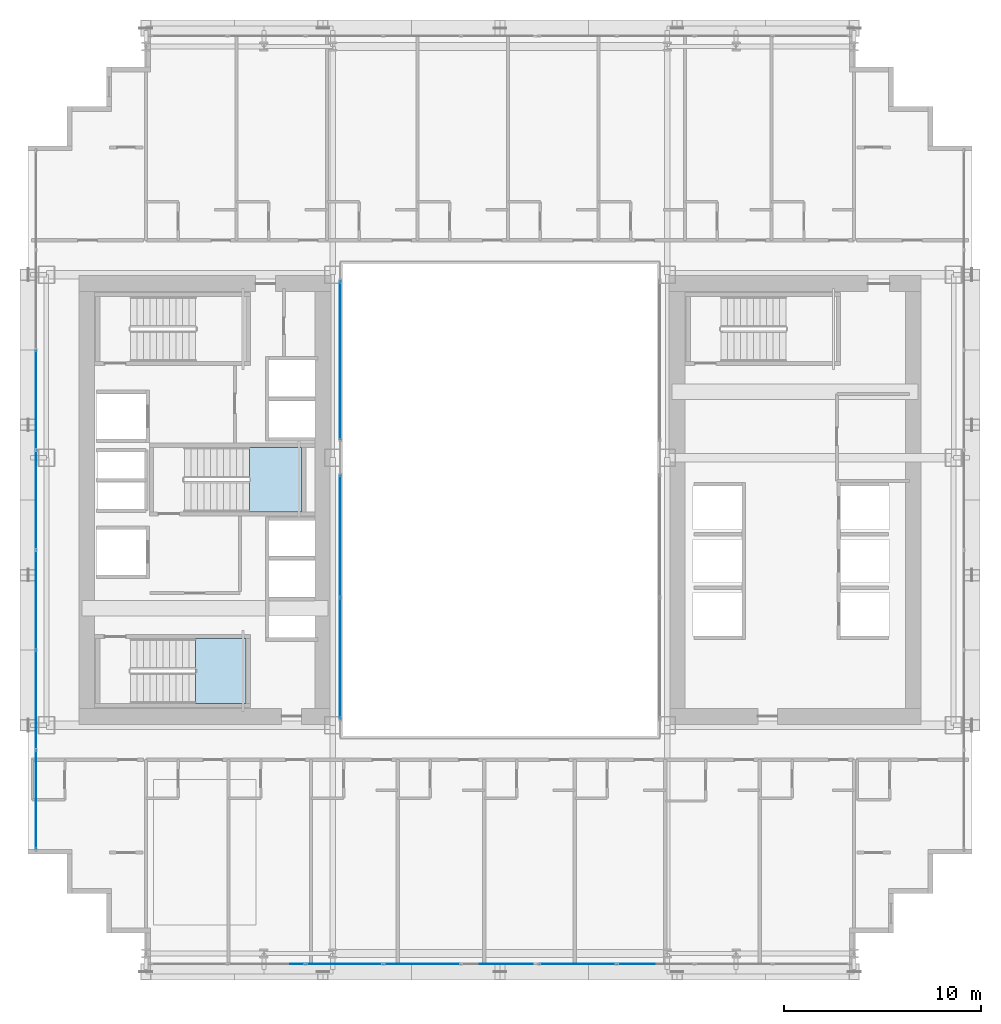
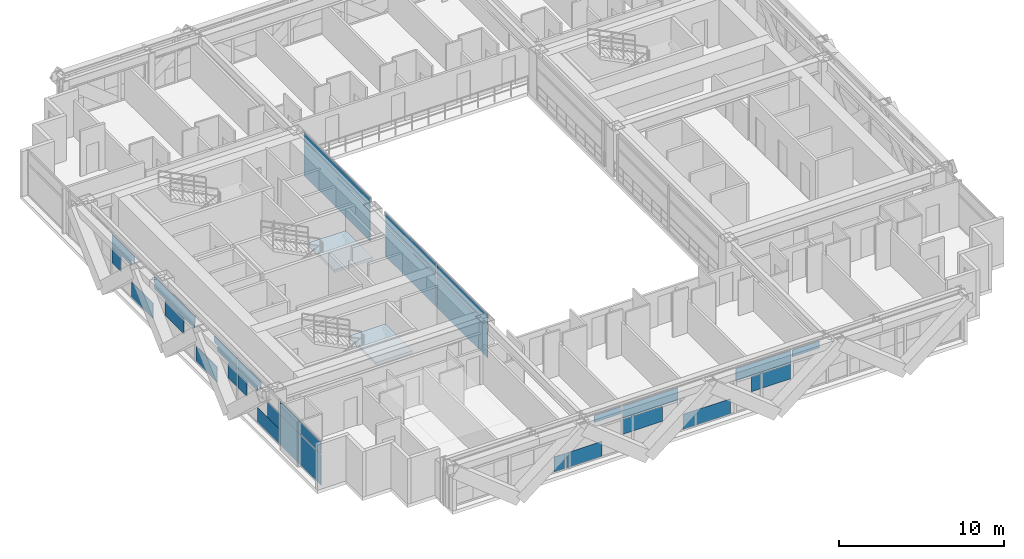
# One storey, part 27 of 41: 33 plates, 2 slabs, 6 elements without a shape of their own.
"""IFC4 building model written with IfcOpenShell, lengths in metres."""

from ifc_helpers import new_model, si_unit, direction, frame, origin, origin_2d, place, context, subcontext, project, spatial, polyline, rectangle, outline, extrude, source, transform, mapped, material, layer, layer_set, type_object, element, aggregate, save


model = new_model("IFC4")

# Units and contexts
model_context = context("Model", 3, precision=1e-05, world=origin(), true_north=direction((0.0, 1.0)))
body_context = subcontext(model_context, "Body", "Model", "MODEL_VIEW")
ifc_project = project(units=[si_unit("LENGTHUNIT", "METRE"), si_unit("AREAUNIT", "SQUARE_METRE"), si_unit("VOLUMEUNIT", "CUBIC_METRE"), si_unit("PLANEANGLEUNIT", "RADIAN"), si_unit("MASSUNIT", "GRAM", prefix="KILO")], contexts=[model_context])

# Site, building, storey
site_placement = place(None, origin())
site = spatial("IfcSite", under=ifc_project, at=site_placement, CompositionType="ELEMENT")
building_placement = place(site_placement, origin())
building = spatial("IfcBuilding", under=site, at=building_placement, Name="Ocotamira Hotel", CompositionType="ELEMENT")
storey_placement = place(building_placement, frame((0.0, 0.0, 38.39990234375)))
storey = spatial("IfcBuildingStorey", under=building, at=storey_placement, Name="L08", CompositionType="ELEMENT", Elevation=38.39990234375)

# Stair, slab
ifc_material_1 = material(Name="Concrete C40/50", Category="concrete")
stair_type = type_object("IfcStairType", Name="ST-CORE-1560", PredefinedType="HALF_TURN_STAIR", material=ifc_material_1)
stair_1_placement = place(storey_placement, origin())
stair_1 = element("IfcStair", 1, at=stair_1_placement, inside=storey, type_object=stair_type, Name="L08 Exit Stair ST-1", PredefinedType="HALF_TURN_STAIR")
ifc_layer_1 = layer(ifc_material_1, 0.199951171875)
ifc_layer_set_1 = layer_set([ifc_layer_1], Name="Concrete C40/50")
slab_type = type_object("IfcSlabType", Name="SLB-LAND-200", PredefinedType="LANDING", material=ifc_layer_set_1)
slab_1_placement = place(storey_placement, frame((0.0, 0.0, 1.60009765625)))
slab_1 = element("IfcSlab", 2, at=slab_1_placement, type_object=slab_type, Name="ST-1 landing 1", PredefinedType="LANDING", context=body_context, shape_type="SweptSolid", body=[
    extrude(outline(polyline([(16.530029296875, 15.669921875), (19.090087890625, 15.669921875), (19.090087890625, 18.949951171875), (16.530029296875, 18.949951171875), (16.530029296875, 15.669921875)])), origin(), (0.0, 0.0, 1.0), 0.199951171875),
])
aggregate(stair_1, [slab_1])

stair_2_placement = place(storey_placement, origin())
stair_2 = element("IfcStair", 3, at=stair_2_placement, inside=storey, type_object=stair_type, Name="L08 Exit Stair ST-3", PredefinedType="HALF_TURN_STAIR")
slab_2_placement = place(storey_placement, frame((0.0, 0.0, 1.60009765625)))
slab_2 = element("IfcSlab", 4, at=slab_2_placement, type_object=slab_type, Name="ST-3 landing 1", PredefinedType="LANDING", context=body_context, shape_type="SweptSolid", body=[
    extrude(outline(polyline([(19.260009765625, 25.39990234375), (21.919921875, 25.39990234375), (21.919921875, 28.679931640625), (19.260009765625, 28.679931640625), (19.260009765625, 25.39990234375)])), origin(), (0.0, 0.0, 1.0), 0.199951171875),
])
aggregate(stair_2, [slab_2])

# Curtain wall, plates
ifc_material_2 = material(Name="Anodised pale-metal aluminium and solar glass", Category="aluminium")
ifc_layer_2 = layer(ifc_material_2, 0.179931640625)
ifc_layer_set_2 = layer_set([ifc_layer_2], Name="Anodised pale-metal aluminium and solar glass")
curtain_wall_type_1 = type_object("IfcCurtainWallType", Name="CW-SYS2-Z1", PredefinedType="NOTDEFINED", material=ifc_layer_set_2)
curtain_wall_1_placement = place(storey_placement, origin())
curtain_wall_1 = element("IfcCurtainWall", 5, at=curtain_wall_1_placement, inside=storey, type_object=curtain_wall_type_1, Name="L08 Curtain Wall CW-2 CW-L08-S1", PredefinedType="NOTDEFINED")
ifc_material_3 = material(Name="Double-silver low-E insulated solar glass", Category="glass")
ifc_layer_3 = layer(ifc_material_3, 0.031982421875)
ifc_layer_set_3 = layer_set([ifc_layer_3], Name="Double-silver low-E insulated solar glass")
plate_type = type_object("IfcPlateType", Name="CWP-VISION-32", PredefinedType="CURTAIN_PANEL", material=ifc_layer_set_3)
shared_shape_1 = source(origin(), body_context, "Body", "SweptSolid", [
    extrude(rectangle(XDim=3.87548828125, YDim=0.031982421875, at=origin_2d()), origin(), (0.0, 0.0, 1.0), 0.887451171875),
])
plate_1_placement = place(storey_placement, frame((28.04443359375, 2.419921875, 2.3876953125), z_axis=(0.0, 0.0, 1.0), x_axis=(1.0, 0.0, 0.0)))
plate_1 = element("IfcPlate", 6, at=plate_1_placement, type_object=plate_type, Name="CW-2 panel 4.2", PredefinedType="CURTAIN_PANEL", context=body_context, shape_type="MappedRepresentation", body=[
    mapped(shared_shape_1, transform((0.0, 0.0, 0.0), scale=1.0)),
])
plate_2_placement = place(storey_placement, frame((35.95556640625, 2.419921875, 2.3876953125), z_axis=(0.0, 0.0, 1.0), x_axis=(1.0, 0.0, 0.0)))
plate_2 = element("IfcPlate", 7, at=plate_2_placement, type_object=plate_type, Name="CW-2 panel 6.2", PredefinedType="CURTAIN_PANEL", context=body_context, shape_type="MappedRepresentation", body=[
    mapped(shared_shape_1, transform((0.0, 0.0, 0.0), scale=1.0)),
])

curtain_wall_2_placement = place(storey_placement, origin())
curtain_wall_2 = element("IfcCurtainWall", 8, at=curtain_wall_2_placement, inside=storey, type_object=curtain_wall_type_1, Name="L08 Curtain Wall CW-2 CW-L08-W", PredefinedType="NOTDEFINED")
shared_shape_2 = source(origin(), body_context, "Body", "SweptSolid", [
    extrude(rectangle(XDim=4.9658203125, YDim=0.031982421875, at=origin_2d()), origin(), (0.0, 0.0, 1.0), 2.237548828125),
])
plate_3_placement = place(storey_placement, frame((8.419921875, 10.762939453125, 0.0751953125), z_axis=(0.0, 0.0, 1.0), x_axis=(0.0, 1.0, 0.0)))
plate_3 = element("IfcPlate", 9, at=plate_3_placement, type_object=plate_type, Name="CW-2 panel 1.1", PredefinedType="CURTAIN_PANEL", context=body_context, shape_type="MappedRepresentation", body=[
    mapped(shared_shape_2, transform((0.0, 0.0, 0.0), scale=1.0)),
])
shared_shape_3 = source(origin(), body_context, "Body", "SweptSolid", [
    extrude(rectangle(XDim=4.9658203125, YDim=0.031982421875, at=origin_2d()), origin(), (0.0, 0.0, 1.0), 0.887451171875),
])
plate_4_placement = place(storey_placement, frame((8.419921875, 10.762939453125, 2.3876953125), z_axis=(0.0, 0.0, 1.0), x_axis=(0.0, 1.0, 0.0)))
plate_4 = element("IfcPlate", 10, at=plate_4_placement, type_object=plate_type, Name="CW-2 panel 1.2", PredefinedType="CURTAIN_PANEL", context=body_context, shape_type="MappedRepresentation", body=[
    mapped(shared_shape_3, transform((0.0, 0.0, 0.0), scale=1.0)),
])
shared_shape_4 = source(origin(), body_context, "Body", "SweptSolid", [
    extrude(rectangle(XDim=2.27978515625, YDim=0.031982421875, at=origin_2d()), origin(), (0.0, 0.0, 1.0), 1.11865234375),
])
plate_5_placement = place(storey_placement, frame((8.419921875, 26.0, 1.19384765625), z_axis=(0.0, 0.0, 1.0), x_axis=(0.0, 1.0, 0.0)))
plate_5 = element("IfcPlate", 11, at=plate_5_placement, type_object=plate_type, Name="CW-2 panel 4.1.1", PredefinedType="CURTAIN_PANEL", context=body_context, shape_type="MappedRepresentation", body=[
    mapped(shared_shape_4, transform((0.0, 0.0, 0.0), scale=1.0)),
])

# Plate
shared_shape_5 = source(origin(), body_context, "Body", "SweptSolid", [
    extrude(rectangle(XDim=0.733642578125, YDim=0.031982421875, at=origin_2d()), origin(), (0.0, 0.0, 1.0), 1.11865234375),
])
plate_6_placement = place(storey_placement, frame((21.704345703125, 2.419921875, 0.0751953125), z_axis=(0.0, 0.0, 1.0), x_axis=(1.0, 0.0, 0.0)))
plate_6 = element("IfcPlate", 12, at=plate_6_placement, type_object=plate_type, Name="CW-2 panel 2.1.2", PredefinedType="CURTAIN_PANEL", context=body_context, shape_type="MappedRepresentation", body=[
    mapped(shared_shape_5, transform((0.0, 0.0, 0.0), scale=1.0)),
])

shared_shape_6 = source(origin(), body_context, "Body", "SweptSolid", [
    extrude(rectangle(XDim=2.51123046875, YDim=0.031982421875, at=origin_2d()), origin(), (0.0, 0.0, 1.0), 1.11865234375),
])
plate_7_placement = place(storey_placement, frame((23.40673828125, 2.419921875, 0.0751953125), z_axis=(0.0, 0.0, 1.0), x_axis=(1.0, 0.0, 0.0)))
plate_7 = element("IfcPlate", 13, at=plate_7_placement, type_object=plate_type, Name="CW-2 panel 3.1.1", PredefinedType="CURTAIN_PANEL", context=body_context, shape_type="MappedRepresentation", body=[
    mapped(shared_shape_6, transform((0.0, 0.0, 0.0), scale=1.0)),
])

shared_shape_7 = source(origin(), body_context, "Body", "SweptSolid", [
    extrude(rectangle(XDim=1.88671875, YDim=0.031982421875, at=origin_2d()), origin(), (0.0, 0.0, 1.0), 0.5107421875),
])
plate_8_placement = place(storey_placement, frame((25.08349609375, 2.419921875, 2.764404296875), z_axis=(0.0, 0.0, 1.0), x_axis=(1.0, 0.0, 0.0)))
plate_8 = element("IfcPlate", 14, at=plate_8_placement, type_object=plate_type, Name="CW-2 panel 3.2.1", PredefinedType="CURTAIN_PANEL", context=body_context, shape_type="MappedRepresentation", body=[
    mapped(shared_shape_7, transform((0.0, 0.0, 0.0), scale=1.0)),
])

plate_9_placement = place(storey_placement, frame((38.91650390625, 2.419921875, 2.764404296875), z_axis=(0.0, 0.0, 1.0), x_axis=(1.0, 0.0, 0.0)))
plate_9 = element("IfcPlate", 15, at=plate_9_placement, type_object=plate_type, Name="CW-2 panel 7.2.1", PredefinedType="CURTAIN_PANEL", context=body_context, shape_type="MappedRepresentation", body=[
    mapped(shared_shape_7, transform((0.0, 0.0, 0.0), scale=1.0)),
])

shared_shape_8 = source(origin(), body_context, "Body", "SweptSolid", [
    extrude(rectangle(XDim=2.790283203125, YDim=0.031982421875, at=origin_2d()), origin(), (0.0, 0.0, 1.0), 1.11865234375),
])
plate_10_placement = place(storey_placement, frame((27.501708984375, 2.419921875, 1.19384765625), z_axis=(0.0, 0.0, 1.0), x_axis=(1.0, 0.0, 0.0)))
plate_10 = element("IfcPlate", 16, at=plate_10_placement, type_object=plate_type, Name="CW-2 panel 4.1.1", PredefinedType="CURTAIN_PANEL", context=body_context, shape_type="MappedRepresentation", body=[
    mapped(shared_shape_8, transform((0.0, 0.0, 0.0), scale=1.0)),
])

plate_11_placement = place(storey_placement, frame((36.498291015625, 2.419921875, 1.19384765625), z_axis=(0.0, 0.0, 1.0), x_axis=(1.0, 0.0, 0.0)))
plate_11 = element("IfcPlate", 17, at=plate_11_placement, type_object=plate_type, Name="CW-2 panel 6.1.1", PredefinedType="CURTAIN_PANEL", context=body_context, shape_type="MappedRepresentation", body=[
    mapped(shared_shape_8, transform((0.0, 0.0, 0.0), scale=1.0)),
])

shared_shape_9 = source(origin(), body_context, "Body", "SweptSolid", [
    extrude(rectangle(XDim=3.324951171875, YDim=0.031982421875, at=origin_2d()), origin(), (0.0, 0.0, 1.0), 1.11865234375),
])
plate_12_placement = place(storey_placement, frame((32.0, 2.419921875, 0.0751953125), z_axis=(0.0, 0.0, 1.0), x_axis=(1.0, 0.0, 0.0)))
plate_12 = element("IfcPlate", 18, at=plate_12_placement, type_object=plate_type, Name="CW-2 panel 5.1.1", PredefinedType="CURTAIN_PANEL", context=body_context, shape_type="MappedRepresentation", body=[
    mapped(shared_shape_9, transform((0.0, 0.0, 0.0), scale=1.0)),
])

aggregate(curtain_wall_1, [plate_6, plate_7, plate_8, plate_10, plate_1, plate_12, plate_11, plate_2, plate_9])

shared_shape_10 = source(origin(), body_context, "Body", "SweptSolid", [
    extrude(rectangle(XDim=2.58935546875, YDim=0.031982421875, at=origin_2d()), origin(), (0.0, 0.0, 1.0), 1.11865234375),
])
plate_13_placement = place(storey_placement, frame((8.419921875, 14.620361328125, 0.0751953125), z_axis=(0.0, 0.0, 1.0), x_axis=(0.0, 1.0, 0.0)))
plate_13 = element("IfcPlate", 19, at=plate_13_placement, type_object=plate_type, Name="CW-2 panel 2.1.1", PredefinedType="CURTAIN_PANEL", context=body_context, shape_type="MappedRepresentation", body=[
    mapped(shared_shape_10, transform((0.0, 0.0, 0.0), scale=1.0)),
])

shared_shape_11 = source(origin(), body_context, "Body", "SweptSolid", [
    extrude(rectangle(XDim=1.4033203125, YDim=0.031982421875, at=origin_2d()), origin(), (0.0, 0.0, 1.0), 1.11865234375),
])
plate_14_placement = place(storey_placement, frame((8.419921875, 14.02734375, 1.19384765625), z_axis=(0.0, 0.0, 1.0), x_axis=(0.0, 1.0, 0.0)))
plate_14 = element("IfcPlate", 20, at=plate_14_placement, type_object=plate_type, Name="CW-2 panel 2.1.2", PredefinedType="CURTAIN_PANEL", context=body_context, shape_type="MappedRepresentation", body=[
    mapped(shared_shape_11, transform((0.0, 0.0, 0.0), scale=1.0)),
])

shared_shape_12 = source(origin(), body_context, "Body", "SweptSolid", [
    extrude(rectangle(XDim=1.104736328125, YDim=0.031982421875, at=origin_2d()), origin(), (0.0, 0.0, 1.0), 1.11865234375),
])
plate_15_placement = place(storey_placement, frame((8.419921875, 17.779052734375, 1.19384765625), z_axis=(0.0, 0.0, 1.0), x_axis=(0.0, 1.0, 0.0)))
plate_15 = element("IfcPlate", 21, at=plate_15_placement, type_object=plate_type, Name="CW-2 panel 2.1.3", PredefinedType="CURTAIN_PANEL", context=body_context, shape_type="MappedRepresentation", body=[
    mapped(shared_shape_12, transform((0.0, 0.0, 0.0), scale=1.0)),
])

shared_shape_13 = source(origin(), body_context, "Body", "SweptSolid", [
    extrude(rectangle(XDim=2.796630859375, YDim=0.031982421875, at=origin_2d()), origin(), (0.0, 0.0, 1.0), 0.485107421875),
])
plate_16_placement = place(storey_placement, frame((8.419921875, 16.93310546875, 2.7900390625), z_axis=(0.0, 0.0, 1.0), x_axis=(0.0, 1.0, 0.0)))
plate_16 = element("IfcPlate", 22, at=plate_16_placement, type_object=plate_type, Name="CW-2 panel 2.2.1", PredefinedType="CURTAIN_PANEL", context=body_context, shape_type="MappedRepresentation", body=[
    mapped(shared_shape_13, transform((0.0, 0.0, 0.0), scale=1.0)),
])

shared_shape_14 = source(origin(), body_context, "Body", "SweptSolid", [
    extrude(rectangle(XDim=2.3701171875, YDim=0.031982421875, at=origin_2d()), origin(), (0.0, 0.0, 1.0), 0.367919921875),
])
plate_17_placement = place(storey_placement, frame((8.419921875, 17.146240234375, 2.3876953125), z_axis=(0.0, 0.0, 1.0), x_axis=(0.0, 1.0, 0.0)))
plate_17 = element("IfcPlate", 23, at=plate_17_placement, type_object=plate_type, Name="CW-2 panel 2.2.2", PredefinedType="CURTAIN_PANEL", context=body_context, shape_type="MappedRepresentation", body=[
    mapped(shared_shape_14, transform((0.0, 0.0, 0.0), scale=1.0)),
])

shared_shape_15 = source(origin(), body_context, "Body", "SweptSolid", [
    extrude(rectangle(XDim=1.094970703125, YDim=0.031982421875, at=origin_2d()), origin(), (0.0, 0.0, 1.0), 1.11865234375),
])
plate_18_placement = place(storey_placement, frame((8.419921875, 18.958984375, 1.19384765625), z_axis=(0.0, 0.0, 1.0), x_axis=(0.0, 1.0, 0.0)))
plate_18 = element("IfcPlate", 24, at=plate_18_placement, type_object=plate_type, Name="CW-2 panel 3.1.1", PredefinedType="CURTAIN_PANEL", context=body_context, shape_type="MappedRepresentation", body=[
    mapped(shared_shape_15, transform((0.0, 0.0, 0.0), scale=1.0)),
])

plate_19_placement = place(storey_placement, frame((8.419921875, 33.041015625, 1.19384765625), z_axis=(0.0, 0.0, 1.0), x_axis=(0.0, 1.0, 0.0)))
plate_19 = element("IfcPlate", 25, at=plate_19_placement, type_object=plate_type, Name="CW-2 panel 5.1.2", PredefinedType="CURTAIN_PANEL", context=body_context, shape_type="MappedRepresentation", body=[
    mapped(shared_shape_15, transform((0.0, 0.0, 0.0), scale=1.0)),
])

shared_shape_16 = source(origin(), body_context, "Body", "SweptSolid", [
    extrude(rectangle(XDim=2.59912109375, YDim=0.031982421875, at=origin_2d()), origin(), (0.0, 0.0, 1.0), 1.11865234375),
])
plate_20_placement = place(storey_placement, frame((8.419921875, 22.11767578125, 0.0751953125), z_axis=(0.0, 0.0, 1.0), x_axis=(0.0, 1.0, 0.0)))
plate_20 = element("IfcPlate", 26, at=plate_20_placement, type_object=plate_type, Name="CW-2 panel 3.1.2", PredefinedType="CURTAIN_PANEL", context=body_context, shape_type="MappedRepresentation", body=[
    mapped(shared_shape_16, transform((0.0, 0.0, 0.0), scale=1.0)),
])

plate_21_placement = place(storey_placement, frame((8.419921875, 29.88232421875, 0.0751953125), z_axis=(0.0, 0.0, 1.0), x_axis=(0.0, 1.0, 0.0)))
plate_21 = element("IfcPlate", 27, at=plate_21_placement, type_object=plate_type, Name="CW-2 panel 5.1.1", PredefinedType="CURTAIN_PANEL", context=body_context, shape_type="MappedRepresentation", body=[
    mapped(shared_shape_16, transform((0.0, 0.0, 0.0), scale=1.0)),
])

shared_shape_17 = source(origin(), body_context, "Body", "SweptSolid", [
    extrude(rectangle(XDim=2.360595703125, YDim=0.031982421875, at=origin_2d()), origin(), (0.0, 0.0, 1.0), 0.367919921875),
])
plate_22_placement = place(storey_placement, frame((8.419921875, 19.591796875, 2.3876953125), z_axis=(0.0, 0.0, 1.0), x_axis=(0.0, 1.0, 0.0)))
plate_22 = element("IfcPlate", 28, at=plate_22_placement, type_object=plate_type, Name="CW-2 panel 3.2.1", PredefinedType="CURTAIN_PANEL", context=body_context, shape_type="MappedRepresentation", body=[
    mapped(shared_shape_17, transform((0.0, 0.0, 0.0), scale=1.0)),
])

plate_23_placement = place(storey_placement, frame((8.419921875, 32.408203125, 2.3876953125), z_axis=(0.0, 0.0, 1.0), x_axis=(0.0, 1.0, 0.0)))
plate_23 = element("IfcPlate", 29, at=plate_23_placement, type_object=plate_type, Name="CW-2 panel 5.2.2", PredefinedType="CURTAIN_PANEL", context=body_context, shape_type="MappedRepresentation", body=[
    mapped(shared_shape_17, transform((0.0, 0.0, 0.0), scale=1.0)),
])

shared_shape_18 = source(origin(), body_context, "Body", "SweptSolid", [
    extrude(rectangle(XDim=2.787109375, YDim=0.031982421875, at=origin_2d()), origin(), (0.0, 0.0, 1.0), 0.485107421875),
])
plate_24_placement = place(storey_placement, frame((8.419921875, 19.804931640625, 2.7900390625), z_axis=(0.0, 0.0, 1.0), x_axis=(0.0, 1.0, 0.0)))
plate_24 = element("IfcPlate", 30, at=plate_24_placement, type_object=plate_type, Name="CW-2 panel 3.2.2", PredefinedType="CURTAIN_PANEL", context=body_context, shape_type="MappedRepresentation", body=[
    mapped(shared_shape_18, transform((0.0, 0.0, 0.0), scale=1.0)),
])

plate_25_placement = place(storey_placement, frame((8.419921875, 32.195068359375, 2.7900390625), z_axis=(0.0, 0.0, 1.0), x_axis=(0.0, 1.0, 0.0)))
plate_25 = element("IfcPlate", 31, at=plate_25_placement, type_object=plate_type, Name="CW-2 panel 5.2.1", PredefinedType="CURTAIN_PANEL", context=body_context, shape_type="MappedRepresentation", body=[
    mapped(shared_shape_18, transform((0.0, 0.0, 0.0), scale=1.0)),
])

shared_shape_19 = source(origin(), body_context, "Body", "SweptSolid", [
    extrude(rectangle(XDim=5.005615234375, YDim=0.031982421875, at=origin_2d()), origin(), (0.0, 0.0, 1.0), 0.485107421875),
])
plate_26_placement = place(storey_placement, frame((8.419921875, 26.0, 2.7900390625), z_axis=(0.0, 0.0, 1.0), x_axis=(0.0, 1.0, 0.0)))
plate_26 = element("IfcPlate", 32, at=plate_26_placement, type_object=plate_type, Name="CW-2 panel 4.2.1", PredefinedType="CURTAIN_PANEL", context=body_context, shape_type="MappedRepresentation", body=[
    mapped(shared_shape_19, transform((0.0, 0.0, 0.0), scale=1.0)),
])

shared_shape_20 = source(origin(), body_context, "Body", "SweptSolid", [
    extrude(rectangle(XDim=4.81103515625, YDim=0.031982421875, at=origin_2d()), origin(), (0.0, 0.0, 1.0), 0.40234375),
])
plate_27_placement = place(storey_placement, frame((8.419921875, 26.0, 2.387451171875), z_axis=(0.0, 0.0, 1.0), x_axis=(0.0, 1.0, 0.0)))
plate_27 = element("IfcPlate", 33, at=plate_27_placement, type_object=plate_type, Name="CW-2 panel 4.2.2", PredefinedType="CURTAIN_PANEL", context=body_context, shape_type="MappedRepresentation", body=[
    mapped(shared_shape_20, transform((0.0, 0.0, 0.0), scale=1.0)),
])

aggregate(curtain_wall_2, [plate_3, plate_4, plate_13, plate_14, plate_15, plate_16, plate_17, plate_18, plate_20, plate_22, plate_24, plate_5, plate_26, plate_27, plate_21, plate_19, plate_25, plate_23])

# Curtain wall, plates
ifc_layer_4 = layer(ifc_material_2, 0.159912109375)
ifc_layer_set_4 = layer_set([ifc_layer_4], Name="Anodised pale-metal aluminium and solar glass")
curtain_wall_type_2 = type_object("IfcCurtainWallType", Name="CW-SYS6-ATR", PredefinedType="NOTDEFINED", material=ifc_layer_set_4)
curtain_wall_3_placement = place(storey_placement, origin())
curtain_wall_3 = element("IfcCurtainWall", 34, at=curtain_wall_3_placement, inside=storey, type_object=curtain_wall_type_2, Name="L08 Curtain Wall CW-6 CW-L08-ATRW1", PredefinedType="NOTDEFINED")
shared_shape_21 = source(origin(), body_context, "Body", "SweptSolid", [
    extrude(rectangle(XDim=6.1298828125, YDim=0.031982421875, at=origin_2d()), origin(), (0.0, 0.0, 1.0), 2.237548828125),
])
plate_28_placement = place(storey_placement, frame((23.8798828125, 17.945068359375, 0.0751953125), z_axis=(0.0, 0.0, 1.0), x_axis=(0.0, 1.0, 0.0)))
plate_28 = element("IfcPlate", 35, at=plate_28_placement, type_object=plate_type, Name="CW-6 panel 1.1", PredefinedType="CURTAIN_PANEL", context=body_context, shape_type="MappedRepresentation", body=[
    mapped(shared_shape_21, transform((0.0, 0.0, 0.0), scale=1.0)),
])
plate_29_placement = place(storey_placement, frame((23.8798828125, 24.155029296875, 0.0751953125), z_axis=(0.0, 0.0, 1.0), x_axis=(0.0, 1.0, 0.0)))
plate_29 = element("IfcPlate", 36, at=plate_29_placement, type_object=plate_type, Name="CW-6 panel 2.1", PredefinedType="CURTAIN_PANEL", context=body_context, shape_type="MappedRepresentation", body=[
    mapped(shared_shape_21, transform((0.0, 0.0, 0.0), scale=1.0)),
])
shared_shape_22 = source(origin(), body_context, "Body", "SweptSolid", [
    extrude(rectangle(XDim=6.1298828125, YDim=0.031982421875, at=origin_2d()), origin(), (0.0, 0.0, 1.0), 0.887451171875),
])
plate_30_placement = place(storey_placement, frame((23.8798828125, 17.945068359375, 2.3876953125), z_axis=(0.0, 0.0, 1.0), x_axis=(0.0, 1.0, 0.0)))
plate_30 = element("IfcPlate", 37, at=plate_30_placement, type_object=plate_type, Name="CW-6 panel 1.2", PredefinedType="CURTAIN_PANEL", context=body_context, shape_type="MappedRepresentation", body=[
    mapped(shared_shape_22, transform((0.0, 0.0, 0.0), scale=1.0)),
])
plate_31_placement = place(storey_placement, frame((23.8798828125, 24.155029296875, 2.3876953125), z_axis=(0.0, 0.0, 1.0), x_axis=(0.0, 1.0, 0.0)))
plate_31 = element("IfcPlate", 38, at=plate_31_placement, type_object=plate_type, Name="CW-6 panel 2.2", PredefinedType="CURTAIN_PANEL", context=body_context, shape_type="MappedRepresentation", body=[
    mapped(shared_shape_22, transform((0.0, 0.0, 0.0), scale=1.0)),
])
aggregate(curtain_wall_3, [plate_28, plate_30, plate_29, plate_31])

curtain_wall_4_placement = place(storey_placement, origin())
curtain_wall_4 = element("IfcCurtainWall", 39, at=curtain_wall_4_placement, inside=storey, type_object=curtain_wall_type_2, Name="L08 Curtain Wall CW-6 CW-L08-ATRW2", PredefinedType="NOTDEFINED")
shared_shape_23 = source(origin(), body_context, "Body", "SweptSolid", [
    extrude(rectangle(XDim=8.0400390625, YDim=0.031982421875, at=origin_2d()), origin(), (0.0, 0.0, 1.0), 2.237548828125),
])
plate_32_placement = place(storey_placement, frame((23.8798828125, 33.10009765625, 0.0751953125), z_axis=(0.0, 0.0, 1.0), x_axis=(0.0, 1.0, 0.0)))
plate_32 = element("IfcPlate", 40, at=plate_32_placement, type_object=plate_type, Name="CW-6 panel 1.1", PredefinedType="CURTAIN_PANEL", context=body_context, shape_type="MappedRepresentation", body=[
    mapped(shared_shape_23, transform((0.0, 0.0, 0.0), scale=1.0)),
])
shared_shape_24 = source(origin(), body_context, "Body", "SweptSolid", [
    extrude(rectangle(XDim=8.0400390625, YDim=0.031982421875, at=origin_2d()), origin(), (0.0, 0.0, 1.0), 0.887451171875),
])
plate_33_placement = place(storey_placement, frame((23.8798828125, 33.10009765625, 2.3876953125), z_axis=(0.0, 0.0, 1.0), x_axis=(0.0, 1.0, 0.0)))
plate_33 = element("IfcPlate", 41, at=plate_33_placement, type_object=plate_type, Name="CW-6 panel 1.2", PredefinedType="CURTAIN_PANEL", context=body_context, shape_type="MappedRepresentation", body=[
    mapped(shared_shape_24, transform((0.0, 0.0, 0.0), scale=1.0)),
])
aggregate(curtain_wall_4, [plate_32, plate_33])

save(model, "model.ifc")
